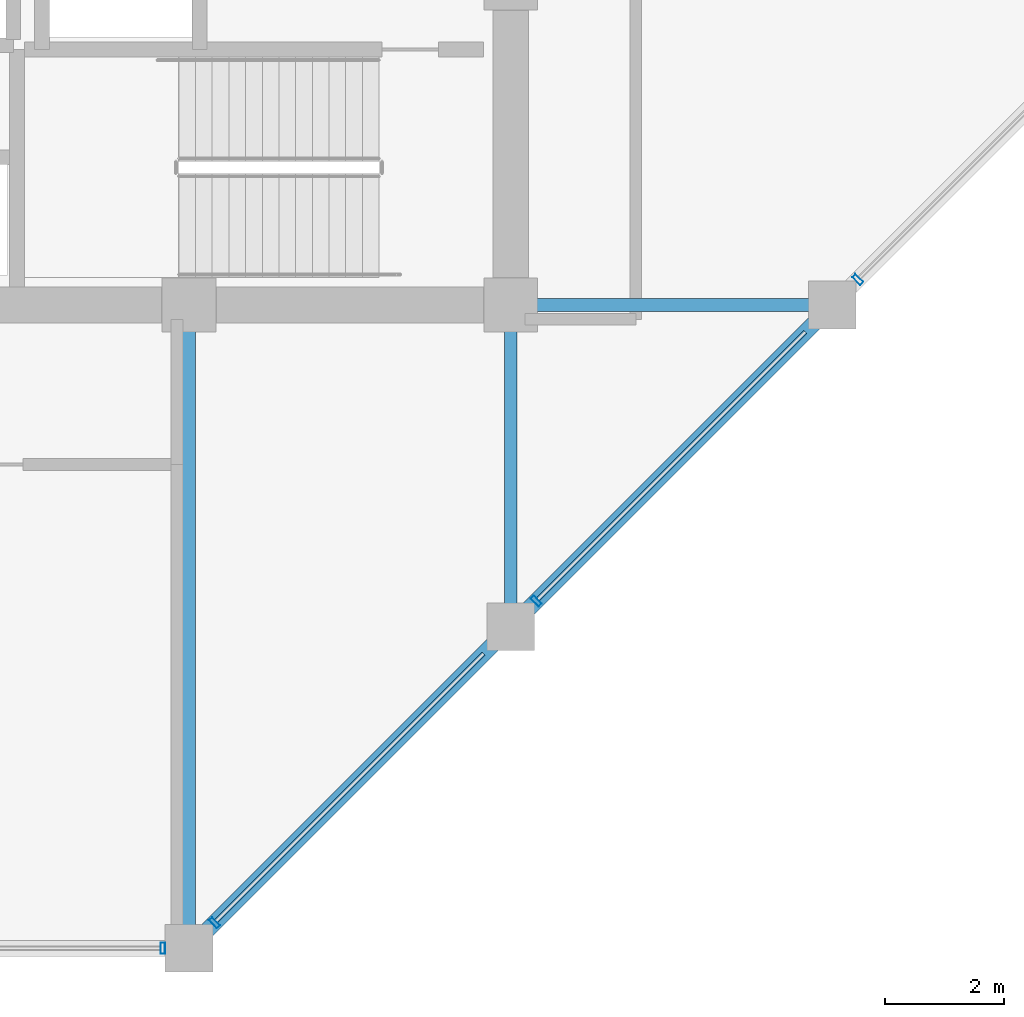
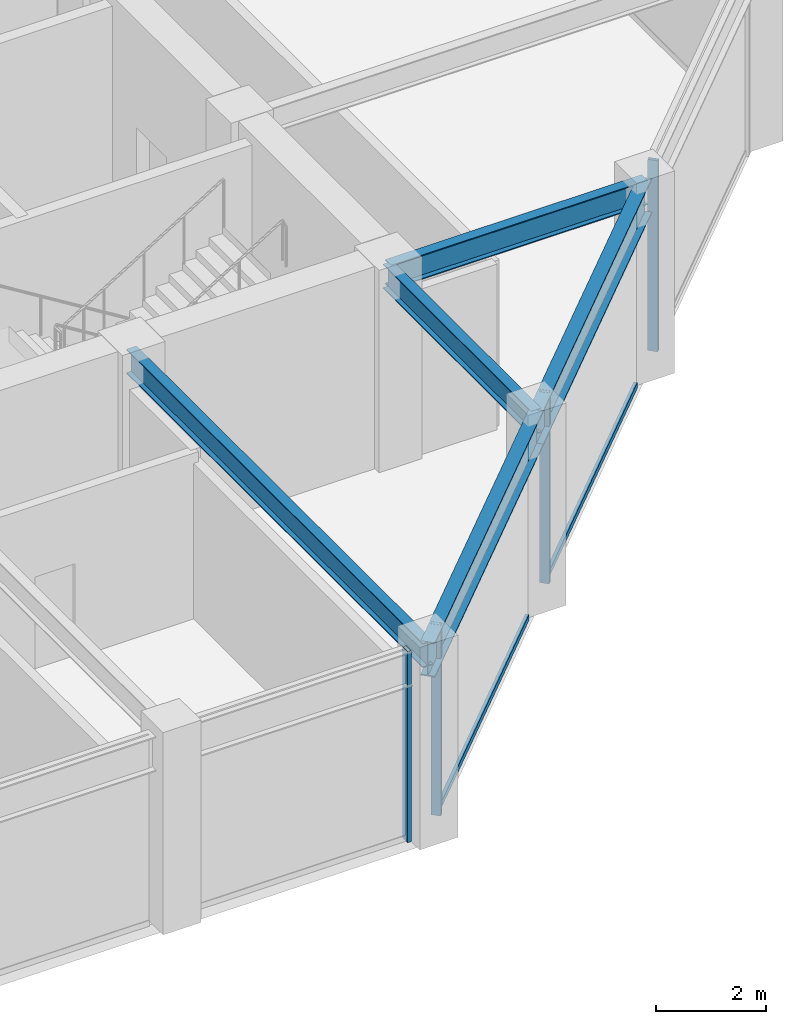
# One storey, part 10 of 28: 6 members, 5 beams, 2 elements without a shape of their own.
"""IFC4 building model written with IfcOpenShell, lengths in metres."""

from ifc_helpers import new_model, si_unit, direction, frame, origin, origin_2d, place, context, subcontext, project, spatial, hollow_rectangle, i_section, extrude, material, layer, layer_set, material_profile, profile_set, type_object, element, aggregate, save


model = new_model("IFC4")

# Units and contexts
model_context = context("Model", 3, precision=1e-05, world=origin(), true_north=direction((0.0, 1.0)))
body_context = subcontext(model_context, "Body", "Model", "MODEL_VIEW")
ifc_project = project(units=[si_unit("LENGTHUNIT", "METRE"), si_unit("AREAUNIT", "SQUARE_METRE"), si_unit("VOLUMEUNIT", "CUBIC_METRE"), si_unit("PLANEANGLEUNIT", "RADIAN"), si_unit("MASSUNIT", "GRAM", prefix="KILO")], contexts=[model_context])

# Site, building, storey
site_placement = place(None, origin())
site = spatial("IfcSite", under=ifc_project, at=site_placement, CompositionType="ELEMENT")
building_placement = place(site_placement, origin())
building = spatial("IfcBuilding", under=site, at=building_placement, Name="Surkhivell Harbour Commons", CompositionType="ELEMENT")
storey_placement = place(building_placement, frame((0.0, 0.0, 249.75)))
storey = spatial("IfcBuildingStorey", under=building, at=storey_placement, Name="L65", CompositionType="ELEMENT", Elevation=249.75)

# Beams
ifc_material_1 = material(Name="Steel S355", Category="steel")
ifc_material_profile_1 = material_profile(ifc_material_1, i_section(OverallWidth=0.2119140625, OverallDepth=0.5439453125, WebThickness=0.0126953125, FlangeThickness=0.021240234375, at=origin_2d()), Name="UB533x210x122")
ifc_profile_set_1 = profile_set([ifc_material_profile_1], Name="Steel S355")
beam_type_1 = type_object("IfcBeamType", Name="BM-GRD-533A", PredefinedType="BEAM", material=ifc_profile_set_1)
beam_1_placement = place(storey_placement, frame((5.39990234375, -21.60009765625, 3.97802734375), z_axis=(0.0, 1.0, 0.0), x_axis=(-1.0, 0.0, 0.0)))
element("IfcBeam", 1, at=beam_1_placement, inside=storey, type_object=beam_type_1, Name="L65 Floor Girder (5.4,-21.6)", PredefinedType="BEAM", context=body_context, shape_type="SweptSolid", body=[
    extrude(i_section(OverallWidth=0.2119140625, OverallDepth=0.5439453125, WebThickness=0.0126953125, FlangeThickness=0.021240234375, at=origin_2d()), origin(), (0.0, 0.0, 1.0), 10.800048828125),
])
for number, where, z_axis, x_axis, name in (
    (2, (10.800048828125, -16.199951171875, 3.97802734375), (0.0, 1.0, 0.0), (-1.0, 0.0, 0.0), "L65 Floor Girder (10.8,-16.2)"),
    (3, (10.800048828125, -10.800048828125, 3.97802734375), (1.0, 0.0, 0.0), (0.0, 1.0, 0.0), "L65 Floor Girder (10.8,-10.8)"),
):
    element("IfcBeam", number, at=place(storey_placement, frame(where, z_axis=z_axis, x_axis=x_axis)), inside=storey, type_object=beam_type_1, Name=name, PredefinedType="BEAM", context=body_context, shape_type="SweptSolid", body=[
        extrude(i_section(OverallWidth=0.2119140625, OverallDepth=0.5439453125, WebThickness=0.0126953125, FlangeThickness=0.021240234375, at=origin_2d()), origin(), (0.0, 0.0, 1.0), 5.39990234375),
    ])
ifc_material_profile_2 = material_profile(ifc_material_1, i_section(OverallWidth=0.26806640625, OverallDepth=0.77001953125, WebThickness=0.015625, FlangeThickness=0.025390625, at=origin_2d()), Name="UB762x267x197")
ifc_profile_set_2 = profile_set([ifc_material_profile_2], Name="Steel S355")
beam_type_2 = type_object("IfcBeamType", Name="BM-SPN-762", PredefinedType="SPANDREL", material=ifc_profile_set_2)
beam_2_placement = place(storey_placement, frame((5.39990234375, -21.60009765625, 3.864990234375), z_axis=(0.707106781187, 0.707106781187, 0.0), x_axis=(-0.707106781187, 0.707106781187, 0.0)))
element("IfcBeam", 4, at=beam_2_placement, inside=storey, type_object=beam_type_2, Name="L65 Tube Spandrel (5.4,-21.6)", PredefinedType="SPANDREL", context=body_context, shape_type="SweptSolid", body=[
    extrude(i_section(OverallWidth=0.26806640625, OverallDepth=0.77001953125, WebThickness=0.015625, FlangeThickness=0.025390625, at=origin_2d()), origin(), (0.0, 0.0, 1.0), 7.636962890625),
])
beam_3_placement = place(storey_placement, frame((10.800048828125, -16.199951171875, 3.864990234375), z_axis=(0.707106781187, 0.707106781187, 0.0), x_axis=(-0.707106781187, 0.707106781187, 0.0)))
element("IfcBeam", 5, at=beam_3_placement, inside=storey, type_object=beam_type_2, Name="L65 Tube Spandrel (10.8,-16.2)", PredefinedType="SPANDREL", context=body_context, shape_type="SweptSolid", body=[
    extrude(i_section(OverallWidth=0.26806640625, OverallDepth=0.77001953125, WebThickness=0.015625, FlangeThickness=0.025390625, at=origin_2d()), origin(), (0.0, 0.0, 1.0), 7.63671875),
])

# Curtain wall, member
ifc_material_2 = material(Name="Anodised pale-metal aluminium and insulated glazing", Category="aluminium")
ifc_layer = layer(ifc_material_2, 0.18994140625)
ifc_layer_set = layer_set([ifc_layer], Name="Anodised pale-metal aluminium and insulated glazing")
curtain_wall_type = type_object("IfcCurtainWallType", Name="CW-SYS-Z3", PredefinedType="NOTDEFINED", material=ifc_layer_set)
curtain_wall_1_placement = place(storey_placement, origin())
curtain_wall_1 = element("IfcCurtainWall", 6, at=curtain_wall_1_placement, inside=storey, type_object=curtain_wall_type, Name="L65 Curtain Wall CW-L65-E00S2", PredefinedType="NOTDEFINED")
ifc_material_3 = material(Name="Anodised pale-metal aluminium alloy 6063-T6", Category="aluminium")
ifc_material_profile_3 = material_profile(ifc_material_3, hollow_rectangle(XDim=0.074951171875, YDim=0.18994140625, WallThickness=0.00390625, at=origin_2d()), Name="ALU-MULL-75x190")
ifc_profile_set_3 = profile_set([ifc_material_profile_3], Name="Anodised pale-metal aluminium alloy 6063-T6")
member_type_1 = type_object("IfcMemberType", Name="CWM-190", PredefinedType="MULLION", material=ifc_profile_set_3)
member_1_placement = place(storey_placement, frame((4.96044921875, -21.60009765625, 0.0), z_axis=(0.0, 0.0, 1.0), x_axis=(1.0, 0.0, 0.0)))
member_1 = element("IfcMember", 7, at=member_1_placement, type_object=member_type_1, Name="CW-Z3 mullion 3", PredefinedType="MULLION", context=body_context, shape_type="SweptSolid", body=[
    extrude(hollow_rectangle(XDim=0.074951171875, YDim=0.18994140625, WallThickness=0.00390625, at=origin_2d()), origin(), (0.0, 0.0, 1.0), 4.25),
])
aggregate(curtain_wall_1, [member_1])

# Curtain wall, members
curtain_wall_2_placement = place(storey_placement, origin())
curtain_wall_2 = element("IfcCurtainWall", 8, at=curtain_wall_2_placement, inside=storey, type_object=curtain_wall_type, Name="L65 Curtain Wall CW-L65-E01", PredefinedType="NOTDEFINED")
member_2_placement = place(storey_placement, frame((5.828125, -21.171875, 0.0), z_axis=(0.0, 0.0, 1.0), x_axis=(0.707106781187, 0.707106781187, 0.0)))
member_2 = element("IfcMember", 9, at=member_2_placement, type_object=member_type_1, Name="CW-Z3 mullion 1", PredefinedType="MULLION", context=body_context, shape_type="SweptSolid", body=[
    extrude(hollow_rectangle(XDim=0.074951171875, YDim=0.18994140625, WallThickness=0.00390625, at=origin_2d()), origin(), (0.0, 0.0, 1.0), 4.25),
])
member_3_placement = place(storey_placement, frame((11.228271484375, -15.771728515625, 0.0), z_axis=(0.0, 0.0, 1.0), x_axis=(0.707106781187, 0.707106781187, 0.0)))
member_3 = element("IfcMember", 10, at=member_3_placement, type_object=member_type_1, Name="CW-Z3 mullion 2", PredefinedType="MULLION", context=body_context, shape_type="SweptSolid", body=[
    extrude(hollow_rectangle(XDim=0.074951171875, YDim=0.18994140625, WallThickness=0.00390625, at=origin_2d()), origin(), (0.0, 0.0, 1.0), 4.25),
])
member_4_placement = place(storey_placement, frame((16.628173828125, -10.371826171875, 0.0), z_axis=(0.0, 0.0, 1.0), x_axis=(0.707106781187, 0.707106781187, 0.0)))
member_4 = element("IfcMember", 11, at=member_4_placement, type_object=member_type_1, Name="CW-Z3 mullion 3", PredefinedType="MULLION", context=body_context, shape_type="SweptSolid", body=[
    extrude(hollow_rectangle(XDim=0.074951171875, YDim=0.18994140625, WallThickness=0.00390625, at=origin_2d()), origin(), (0.0, 0.0, 1.0), 4.25),
])
ifc_material_4 = material(Name="Champagne anodised aluminium alloy 6063-T6", Category="aluminium")
ifc_material_profile_4 = material_profile(ifc_material_4, hollow_rectangle(XDim=0.070068359375, YDim=0.1298828125, WallThickness=0.00341796875, at=origin_2d()), Name="ALU-TRAN-70x130")
ifc_profile_set_4 = profile_set([ifc_material_profile_4], Name="Champagne anodised aluminium alloy 6063-T6")
member_type_2 = type_object("IfcMemberType", Name="CWT-130", PredefinedType="USERDEFINED", material=ifc_profile_set_4)
member_5_placement = place(storey_placement, frame((5.854736328125, -21.145263671875, 0.06494140625), z_axis=(0.707106781187, 0.707106781187, 0.0), x_axis=(-0.707106781187, 0.707106781187, 0.0)))
member_5 = element("IfcMember", 12, at=member_5_placement, type_object=member_type_2, Name="CW-Z3 transom 1.1", ObjectType="TRANSOM", PredefinedType="USERDEFINED", context=body_context, shape_type="SweptSolid", body=[
    extrude(hollow_rectangle(XDim=0.070068359375, YDim=0.1298828125, WallThickness=0.00341796875, at=origin_2d()), origin(), (0.0, 0.0, 1.0), 6.3505859375),
])
member_6_placement = place(storey_placement, frame((11.254638671875, -15.745361328125, 0.06494140625), z_axis=(0.707106781187, 0.707106781187, 0.0), x_axis=(-0.707106781187, 0.707106781187, 0.0)))
member_6 = element("IfcMember", 13, at=member_6_placement, type_object=member_type_2, Name="CW-Z3 transom 2.1", ObjectType="TRANSOM", PredefinedType="USERDEFINED", context=body_context, shape_type="SweptSolid", body=[
    extrude(hollow_rectangle(XDim=0.070068359375, YDim=0.1298828125, WallThickness=0.00341796875, at=origin_2d()), origin(), (0.0, 0.0, 1.0), 6.350830078125),
])
aggregate(curtain_wall_2, [member_2, member_5, member_3, member_6, member_4])

save(model, "model.ifc")
